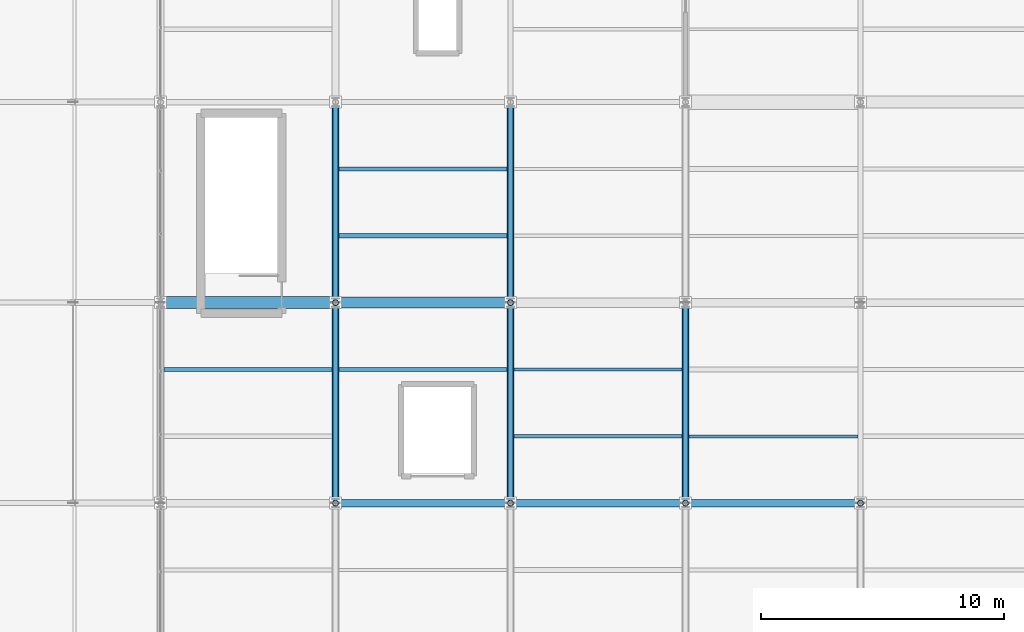
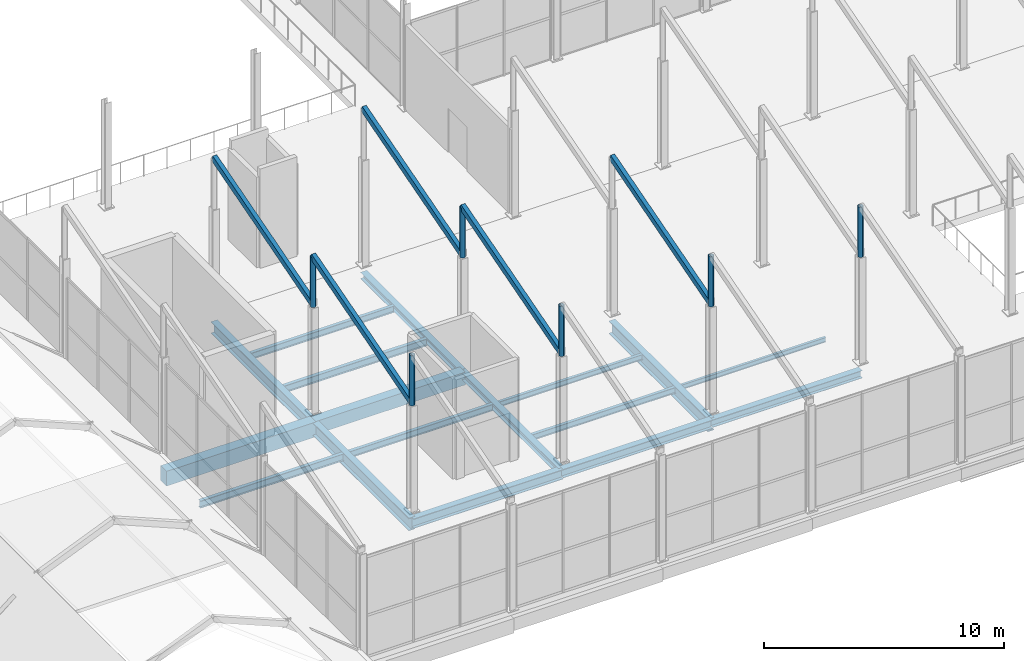
# One storey, part 27 of 141: 17 beams, 11 members.
"""IFC4 building model written with IfcOpenShell, lengths in metres."""

from ifc_helpers import new_model, si_unit, direction, frame, origin, origin_2d, place, context, subcontext, project, spatial, rectangle, hollow_rectangle, hollow_circle, i_section, extrude, material, material_profile, profile_set, type_object, element, save


model = new_model("IFC4")

# Units and contexts
model_context = context("Model", 3, precision=1e-05, world=origin(), true_north=direction((0.0, 1.0)))
body_context = subcontext(model_context, "Body", "Model", "MODEL_VIEW")
ifc_project = project(units=[si_unit("LENGTHUNIT", "METRE"), si_unit("AREAUNIT", "SQUARE_METRE"), si_unit("VOLUMEUNIT", "CUBIC_METRE"), si_unit("PLANEANGLEUNIT", "RADIAN"), si_unit("MASSUNIT", "GRAM", prefix="KILO")], contexts=[model_context])

# Site, building, storey
site_placement = place(None, origin())
site = spatial("IfcSite", under=ifc_project, at=site_placement, CompositionType="ELEMENT")
building_placement = place(site_placement, origin())
building = spatial("IfcBuilding", under=site, at=building_placement, Name="Sundgate Opera House", CompositionType="ELEMENT")
storey_placement = place(building_placement, frame((0.0, 0.0, 11.39990234375)))
storey = spatial("IfcBuildingStorey", under=building, at=storey_placement, Name="L02", CompositionType="ELEMENT", Elevation=11.39990234375)

# Beams
ifc_material_1 = material(Name="Steel S355J2", Category="steel")
ifc_material_profile_1 = material_profile(ifc_material_1, i_section(OverallWidth=0.300048828125, OverallDepth=0.330078125, WebThickness=0.009521484375, FlangeThickness=0.0166015625, at=origin_2d()), Name="HEA 340")
ifc_profile_set_1 = profile_set([ifc_material_profile_1], Name="Steel S355J2")
beam_type_1 = type_object("IfcBeamType", Name="BM-GR-HEA340", PredefinedType="BEAM", material=ifc_profile_set_1)
beam_1_placement = place(storey_placement, frame((109.800048828125, 24.75, -0.514892578125), z_axis=(0.0, 1.0, 0.0), x_axis=(-1.0, 0.0, 0.0)))
element("IfcBeam", 1, at=beam_1_placement, inside=storey, type_object=beam_type_1, Name="L02 Primary N-S Girder B1870", PredefinedType="BEAM", context=body_context, shape_type="SweptSolid", body=[
    extrude(i_section(OverallWidth=0.300048828125, OverallDepth=0.330078125, WebThickness=0.009521484375, FlangeThickness=0.0166015625, at=origin_2d()), origin(), (0.0, 0.0, 1.0), 8.25),
])
ifc_material_2 = material(Name="Steel S355J2", Category="steel")
ifc_material_profile_2 = material_profile(ifc_material_2, i_section(OverallWidth=0.300048828125, OverallDepth=0.35009765625, WebThickness=0.010009765625, FlangeThickness=0.017578125, at=origin_2d()), Name="HEA 360")
ifc_profile_set_2 = profile_set([ifc_material_profile_2], Name="Steel S355J2")
beam_type_2 = type_object("IfcBeamType", Name="BM-GR-HEA360", PredefinedType="BEAM", material=ifc_profile_set_2)
beam_2_placement = place(storey_placement, frame((109.800048828125, 16.5, -0.52490234375), z_axis=(0.0, 1.0, 0.0), x_axis=(-1.0, 0.0, 0.0)))
element("IfcBeam", 2, at=beam_2_placement, inside=storey, type_object=beam_type_2, Name="L02 Primary N-S Girder B1869", PredefinedType="BEAM", context=body_context, shape_type="SweptSolid", body=[
    extrude(i_section(OverallWidth=0.300048828125, OverallDepth=0.35009765625, WebThickness=0.010009765625, FlangeThickness=0.017578125, at=origin_2d()), origin(), (0.0, 0.0, 1.0), 8.25),
])
ifc_material_3 = material(Name="Steel S355J2", Category="steel")
ifc_material_profile_3 = material_profile(ifc_material_3, i_section(OverallWidth=0.300048828125, OverallDepth=0.389892578125, WebThickness=0.010986328125, FlangeThickness=0.01904296875, at=origin_2d()), Name="HEA 400")
ifc_profile_set_3 = profile_set([ifc_material_profile_3], Name="Steel S355J2")
beam_type_3 = type_object("IfcBeamType", Name="BM-GR-HEA400", PredefinedType="BEAM", material=ifc_profile_set_3)
beam_3_placement = place(storey_placement, frame((117.0, 16.5, -0.544921875), z_axis=(1.0, 0.0, 0.0), x_axis=(0.0, 1.0, 0.0)))
element("IfcBeam", 3, at=beam_3_placement, inside=storey, type_object=beam_type_3, Name="L02 Primary E-W Girder B1978", PredefinedType="BEAM", context=body_context, shape_type="SweptSolid", body=[
    extrude(i_section(OverallWidth=0.300048828125, OverallDepth=0.389892578125, WebThickness=0.010986328125, FlangeThickness=0.01904296875, at=origin_2d()), origin(), (0.0, 0.0, 1.0), 7.199951171875),
])
ifc_material_4 = material(Name="Steel S355J2", Category="steel")
ifc_material_profile_4 = material_profile(ifc_material_4, i_section(OverallWidth=0.300048828125, OverallDepth=0.43994140625, WebThickness=0.011474609375, FlangeThickness=0.02099609375, at=origin_2d()), Name="HEA 450")
ifc_profile_set_4 = profile_set([ifc_material_profile_4], Name="Steel S355J2")
beam_type_4 = type_object("IfcBeamType", Name="BM-GR-HEA450", PredefinedType="BEAM", material=ifc_profile_set_4)
beam_4_placement = place(storey_placement, frame((109.800048828125, 16.5, -0.56982421875), z_axis=(1.0, 0.0, 0.0), x_axis=(0.0, 1.0, 0.0)))
element("IfcBeam", 4, at=beam_4_placement, inside=storey, type_object=beam_type_4, Name="L02 Primary E-W Girder B1977", PredefinedType="BEAM", context=body_context, shape_type="SweptSolid", body=[
    extrude(i_section(OverallWidth=0.300048828125, OverallDepth=0.43994140625, WebThickness=0.011474609375, FlangeThickness=0.02099609375, at=origin_2d()), origin(), (0.0, 0.0, 1.0), 7.199951171875),
])
ifc_material_5 = material(Name="Steel S355J2", Category="steel")
ifc_material_profile_5 = material_profile(ifc_material_5, i_section(OverallWidth=0.300048828125, OverallDepth=0.489990234375, WebThickness=0.011962890625, FlangeThickness=0.02294921875, at=origin_2d()), Name="HEA 500")
ifc_profile_set_5 = profile_set([ifc_material_profile_5], Name="Steel S355J2")
beam_type_5 = type_object("IfcBeamType", Name="BM-GR-HEA500", PredefinedType="BEAM", material=ifc_profile_set_5)
beam_5_placement = place(storey_placement, frame((102.60009765625, 16.5, -0.594970703125), z_axis=(1.0, 0.0, 0.0), x_axis=(0.0, 1.0, 0.0)))
element("IfcBeam", 5, at=beam_5_placement, inside=storey, type_object=beam_type_5, Name="L02 Primary E-W Girder B1976", PredefinedType="BEAM", context=body_context, shape_type="SweptSolid", body=[
    extrude(i_section(OverallWidth=0.300048828125, OverallDepth=0.489990234375, WebThickness=0.011962890625, FlangeThickness=0.02294921875, at=origin_2d()), origin(), (0.0, 0.0, 1.0), 7.199951171875),
])
ifc_material_6 = material(Name="Steel S355J2", Category="steel")
ifc_material_profile_6 = material_profile(ifc_material_6, i_section(OverallWidth=0.300048828125, OverallDepth=0.60009765625, WebThickness=0.015380859375, FlangeThickness=0.030029296875, at=origin_2d()), Name="HEB 600")
ifc_profile_set_6 = profile_set([ifc_material_profile_6], Name="Steel S355J2")
beam_type_6 = type_object("IfcBeamType", Name="BM-GR-HEB600", PredefinedType="BEAM", material=ifc_profile_set_6)
beam_6_placement = place(storey_placement, frame((102.60009765625, 24.75, -0.64990234375), z_axis=(0.0, 1.0, 0.0), x_axis=(-1.0, 0.0, 0.0)))
element("IfcBeam", 6, at=beam_6_placement, inside=storey, type_object=beam_type_6, Name="L02 Primary N-S Girder B1859", PredefinedType="BEAM", context=body_context, shape_type="SweptSolid", body=[
    extrude(i_section(OverallWidth=0.300048828125, OverallDepth=0.60009765625, WebThickness=0.015380859375, FlangeThickness=0.030029296875, at=origin_2d()), origin(), (0.0, 0.0, 1.0), 8.25),
])
ifc_material_7 = material(Name="Steel S355J2", Category="steel")
ifc_material_profile_7 = material_profile(ifc_material_7, i_section(OverallWidth=0.300048828125, OverallDepth=0.64990234375, WebThickness=0.01611328125, FlangeThickness=0.031005859375, at=origin_2d()), Name="HEB 650")
ifc_profile_set_7 = profile_set([ifc_material_profile_7], Name="Steel S355J2")
beam_type_7 = type_object("IfcBeamType", Name="BM-GR-HEB650", PredefinedType="BEAM", material=ifc_profile_set_7)
for number, where, z_axis, x_axis, name in (
    (7, (102.60009765625, 16.5, -0.6748046875), (0.0, 1.0, 0.0), (-1.0, 0.0, 0.0), "L02 Primary N-S Girder B1858"),
    (8, (117.0, 16.5, -0.6748046875), (0.0, 1.0, 0.0), (-1.0, 0.0, 0.0), "L02 Primary N-S Girder B1880"),
):
    element("IfcBeam", number, at=place(storey_placement, frame(where, z_axis=z_axis, x_axis=x_axis)), inside=storey, type_object=beam_type_7, Name=name, PredefinedType="BEAM", context=body_context, shape_type="SweptSolid", body=[
        extrude(i_section(OverallWidth=0.300048828125, OverallDepth=0.64990234375, WebThickness=0.01611328125, FlangeThickness=0.031005859375, at=origin_2d()), origin(), (0.0, 0.0, 1.0), 8.25),
    ])
ifc_material_8 = material(Name="Steel S355J2", Category="steel")
ifc_material_profile_8 = material_profile(ifc_material_8, i_section(OverallWidth=0.1201171875, OverallDepth=0.239990234375, WebThickness=0.006103515625, FlangeThickness=0.009765625, at=origin_2d()), Name="IPE 240")
ifc_profile_set_8 = profile_set([ifc_material_profile_8], Name="Steel S355J2")
beam_type_8 = type_object("IfcBeamType", Name="BM-JS-IPE240", PredefinedType="JOIST", material=ifc_profile_set_8)
beam_7_placement = place(storey_placement, frame((117.14990234375, 19.25, -0.469970703125), z_axis=(1.0, 0.0, 0.0), x_axis=(0.0, 1.0, 0.0)))
element("IfcBeam", 9, at=beam_7_placement, inside=storey, type_object=beam_type_8, Name="L02 Secondary Floor Joist B2170", PredefinedType="JOIST", context=body_context, shape_type="SweptSolid", body=[
    extrude(i_section(OverallWidth=0.1201171875, OverallDepth=0.239990234375, WebThickness=0.006103515625, FlangeThickness=0.009765625, at=origin_2d()), origin(), (0.0, 0.0, 1.0), 6.940185546875),
])
ifc_material_9 = material(Name="Steel S355J2", Category="steel")
ifc_material_profile_9 = material_profile(ifc_material_9, i_section(OverallWidth=0.135009765625, OverallDepth=0.27001953125, WebThickness=0.006591796875, FlangeThickness=0.01025390625, at=origin_2d()), Name="IPE 270")
ifc_profile_set_9 = profile_set([ifc_material_profile_9], Name="Steel S355J2")
beam_type_9 = type_object("IfcBeamType", Name="BM-JS-IPE270", PredefinedType="JOIST", material=ifc_profile_set_9)
beam_8_placement = place(storey_placement, frame((109.949951171875, 22.0, -0.48486328125), z_axis=(1.0, 0.0, 0.0), x_axis=(0.0, 1.0, 0.0)))
element("IfcBeam", 10, at=beam_8_placement, inside=storey, type_object=beam_type_9, Name="L02 Secondary Floor Joist B2169", PredefinedType="JOIST", context=body_context, shape_type="SweptSolid", body=[
    extrude(i_section(OverallWidth=0.135009765625, OverallDepth=0.27001953125, WebThickness=0.006591796875, FlangeThickness=0.01025390625, at=origin_2d()), origin(), (0.0, 0.0, 1.0), 6.900146484375),
])
ifc_material_10 = material(Name="Steel S355J2", Category="steel")
ifc_material_profile_10 = material_profile(ifc_material_10, i_section(OverallWidth=0.14990234375, OverallDepth=0.300048828125, WebThickness=0.007080078125, FlangeThickness=0.0107421875, at=origin_2d()), Name="IPE 300")
ifc_profile_set_10 = profile_set([ifc_material_profile_10], Name="Steel S355J2")
beam_type_10 = type_object("IfcBeamType", Name="BM-JS-IPE300", PredefinedType="JOIST", material=ifc_profile_set_10)
beam_9_placement = place(storey_placement, frame((109.949951171875, 19.25, -0.5), z_axis=(1.0, 0.0, 0.0), x_axis=(0.0, 1.0, 0.0)))
element("IfcBeam", 11, at=beam_9_placement, inside=storey, type_object=beam_type_10, Name="L02 Secondary Floor Joist B2168", PredefinedType="JOIST", context=body_context, shape_type="SweptSolid", body=[
    extrude(i_section(OverallWidth=0.14990234375, OverallDepth=0.300048828125, WebThickness=0.007080078125, FlangeThickness=0.0107421875, at=origin_2d()), origin(), (0.0, 0.0, 1.0), 6.900146484375),
])
ifc_material_11 = material(Name="Steel S355J2", Category="steel")
ifc_material_profile_11 = material_profile(ifc_material_11, i_section(OverallWidth=0.159912109375, OverallDepth=0.330078125, WebThickness=0.007568359375, FlangeThickness=0.011474609375, at=origin_2d()), Name="IPE 330")
ifc_profile_set_11 = profile_set([ifc_material_profile_11], Name="Steel S355J2")
beam_type_11 = type_object("IfcBeamType", Name="BM-JS-IPE330", PredefinedType="JOIST", material=ifc_profile_set_11)
for number, where, z_axis, x_axis, name in (
    (12, (102.75, 22.0, -0.514892578125), (1.0, 0.0, 0.0), (0.0, 1.0, 0.0), "L02 Secondary Floor Joist B2167"),
    (13, (102.75, 30.25, -0.514892578125), (1.0, 0.0, 0.0), (0.0, 1.0, 0.0), "L02 Secondary Floor Joist B2181"),
):
    element("IfcBeam", number, at=place(storey_placement, frame(where, z_axis=z_axis, x_axis=x_axis)), inside=storey, type_object=beam_type_11, Name=name, PredefinedType="JOIST", context=body_context, shape_type="SweptSolid", body=[
        extrude(i_section(OverallWidth=0.159912109375, OverallDepth=0.330078125, WebThickness=0.007568359375, FlangeThickness=0.011474609375, at=origin_2d()), origin(), (0.0, 0.0, 1.0), 6.89990234375),
    ])
ifc_material_12 = material(Name="Steel S355J2", Category="steel")
ifc_material_profile_12 = material_profile(ifc_material_12, i_section(OverallWidth=0.169921875, OverallDepth=0.360107421875, WebThickness=0.008056640625, FlangeThickness=0.0126953125, at=origin_2d()), Name="IPE 360")
ifc_profile_set_12 = profile_set([ifc_material_profile_12], Name="Steel S355J2")
beam_type_12 = type_object("IfcBeamType", Name="BM-JS-IPE360", PredefinedType="JOIST", material=ifc_profile_set_12)
for number, where, z_axis, x_axis, name in (
    (14, (95.550048828125, 22.0, -0.52978515625), (1.0, 0.0, 0.0), (0.0, 1.0, 0.0), "L02 Secondary Floor Joist B2166"),
    (15, (102.75, 27.5, -0.52978515625), (1.0, 0.0, 0.0), (0.0, 1.0, 0.0), "L02 Secondary Floor Joist B2180"),
):
    element("IfcBeam", number, at=place(storey_placement, frame(where, z_axis=z_axis, x_axis=x_axis)), inside=storey, type_object=beam_type_12, Name=name, PredefinedType="JOIST", context=body_context, shape_type="SweptSolid", body=[
        extrude(i_section(OverallWidth=0.169921875, OverallDepth=0.360107421875, WebThickness=0.008056640625, FlangeThickness=0.0126953125, at=origin_2d()), origin(), (0.0, 0.0, 1.0), 6.89990234375),
    ])
ifc_material_13 = material(Name="Concrete C35/45", Category="concrete")
ifc_material_profile_13 = material_profile(ifc_material_13, rectangle(XDim=0.449951171875, YDim=0.64990234375, at=origin_2d()), Name="RC 450x650")
ifc_profile_set_13 = profile_set([ifc_material_profile_13], Name="Concrete C35/45")
beam_type_13 = type_object("IfcBeamType", Name="BM-RC-450x650", PredefinedType="BEAM", material=ifc_profile_set_13)
beam_10_placement = place(storey_placement, frame((102.60009765625, 24.75, -0.6748046875), z_axis=(1.0, 0.0, 0.0), x_axis=(0.0, 1.0, 0.0)))
element("IfcBeam", 16, at=beam_10_placement, inside=storey, type_object=beam_type_13, Name="L02 Primary E-W Girder B1986", PredefinedType="BEAM", context=body_context, shape_type="SweptSolid", body=[
    extrude(rectangle(XDim=0.449951171875, YDim=0.64990234375, at=origin_2d()), origin(), (0.0, 0.0, 1.0), 7.199951171875),
])
ifc_material_14 = material(Name="Concrete C40/50", Category="concrete")
ifc_material_profile_14 = material_profile(ifc_material_14, rectangle(XDim=0.5, YDim=0.75, at=origin_2d()), Name="RC 500x750")
ifc_profile_set_14 = profile_set([ifc_material_profile_14], Name="Concrete C40/50")
beam_type_14 = type_object("IfcBeamType", Name="BM-RC-500x750", PredefinedType="BEAM", material=ifc_profile_set_14)
beam_11_placement = place(storey_placement, frame((95.39990234375, 24.75, -0.724853515625), z_axis=(1.0, 0.0, 0.0), x_axis=(0.0, 1.0, 0.0)))
element("IfcBeam", 17, at=beam_11_placement, inside=storey, type_object=beam_type_14, Name="L02 Primary E-W Girder B1985", PredefinedType="BEAM", context=body_context, shape_type="SweptSolid", body=[
    extrude(rectangle(XDim=0.5, YDim=0.75, at=origin_2d()), origin(), (0.0, 0.0, 1.0), 7.2001953125),
])

# Members
ifc_material_15 = material(Name="Steel S355J2", Category="steel")
ifc_material_profile_15 = material_profile(ifc_material_15, hollow_rectangle(XDim=0.199951171875, YDim=0.300048828125, WallThickness=0.012451171875, at=origin_2d()), Name="RHS 300x200x12.5")
ifc_profile_set_15 = profile_set([ifc_material_profile_15], Name="Steel S355J2")
member_type_1 = type_object("IfcMemberType", Name="MB-CHORD-RHS300", PredefinedType="CHORD", material=ifc_profile_set_15)
for number, where, z_axis, x_axis, name in (
    (18, (102.60009765625, 16.5, 5.550048828125), (0.0, 0.96019072379, 0.279345259398), (-1.0, 0.0, 0.0), "L02 Sawtooth Rafter M0401"),
    (19, (109.800048828125, 16.5, 5.550048828125), (0.0, 0.96019072379, 0.279345259398), (-1.0, 0.0, 0.0), "L02 Sawtooth Rafter M0403"),
    (20, (117.0, 16.5, 5.550048828125), (0.0, 0.96019072379, 0.279345259398), (-1.0, 0.0, 0.0), "L02 Sawtooth Rafter M0405"),
    (21, (102.60009765625, 24.75, 5.550048828125), (0.0, 0.96019072379, 0.279345259398), (-1.0, 0.0, 0.0), "L02 Sawtooth Rafter M0419"),
    (22, (109.800048828125, 24.75, 5.550048828125), (0.0, 0.96019072379, 0.279345259398), (-1.0, 0.0, 0.0), "L02 Sawtooth Rafter M0421"),
):
    element("IfcMember", number, at=place(storey_placement, frame(where, z_axis=z_axis, x_axis=x_axis)), inside=storey, type_object=member_type_1, Name=name, PredefinedType="CHORD", context=body_context, shape_type="SweptSolid", body=[
        extrude(hollow_rectangle(XDim=0.199951171875, YDim=0.300048828125, WallThickness=0.012451171875, at=origin_2d()), origin(), (0.0, 0.0, 1.0), 8.592041015625),
    ])
ifc_material_16 = material(Name="Steel S355J2", Category="steel")
ifc_material_profile_16 = material_profile(ifc_material_16, hollow_circle(Radius=0.122314453125, WallThickness=0.012451171875, at=origin_2d()), Name="CHS 244.5x12.5")
ifc_profile_set_16 = profile_set([ifc_material_profile_16], Name="Steel S355J2")
member_type_2 = type_object("IfcMemberType", Name="MB-STRUT-CHS244", PredefinedType="STRUT", material=ifc_profile_set_16)
for number, where, z_axis, x_axis, name in (
    (23, (102.60009765625, 16.5, 5.400146484375), (0.0, 0.0, 1.0), (1.0, 0.0, 0.0), "L02 Sawtooth Northlight Post M0384"),
    (24, (109.800048828125, 16.5, 5.400146484375), (0.0, 0.0, 1.0), (1.0, 0.0, 0.0), "L02 Sawtooth Northlight Post M0386"),
    (25, (117.0, 16.5, 5.400146484375), (0.0, 0.0, 1.0), (1.0, 0.0, 0.0), "L02 Sawtooth Northlight Post M0388"),
    (26, (124.199951171875, 16.5, 5.400146484375), (0.0, 0.0, 1.0), (1.0, 0.0, 0.0), "L02 Sawtooth Northlight Post M0390"),
    (27, (102.60009765625, 24.75, 5.400146484375), (0.0, 0.0, 1.0), (1.0, 0.0, 0.0), "L02 Sawtooth Northlight Post M0402"),
    (28, (109.800048828125, 24.75, 5.400146484375), (0.0, 0.0, 1.0), (1.0, 0.0, 0.0), "L02 Sawtooth Northlight Post M0404"),
):
    element("IfcMember", number, at=place(storey_placement, frame(where, z_axis=z_axis, x_axis=x_axis)), inside=storey, type_object=member_type_2, Name=name, PredefinedType="STRUT", context=body_context, shape_type="SweptSolid", body=[
        extrude(hollow_circle(Radius=0.122314453125, WallThickness=0.012451171875, at=origin_2d()), origin(), (0.0, 0.0, 1.0), 2.550048828125),
    ])

save(model, "model.ifc")
